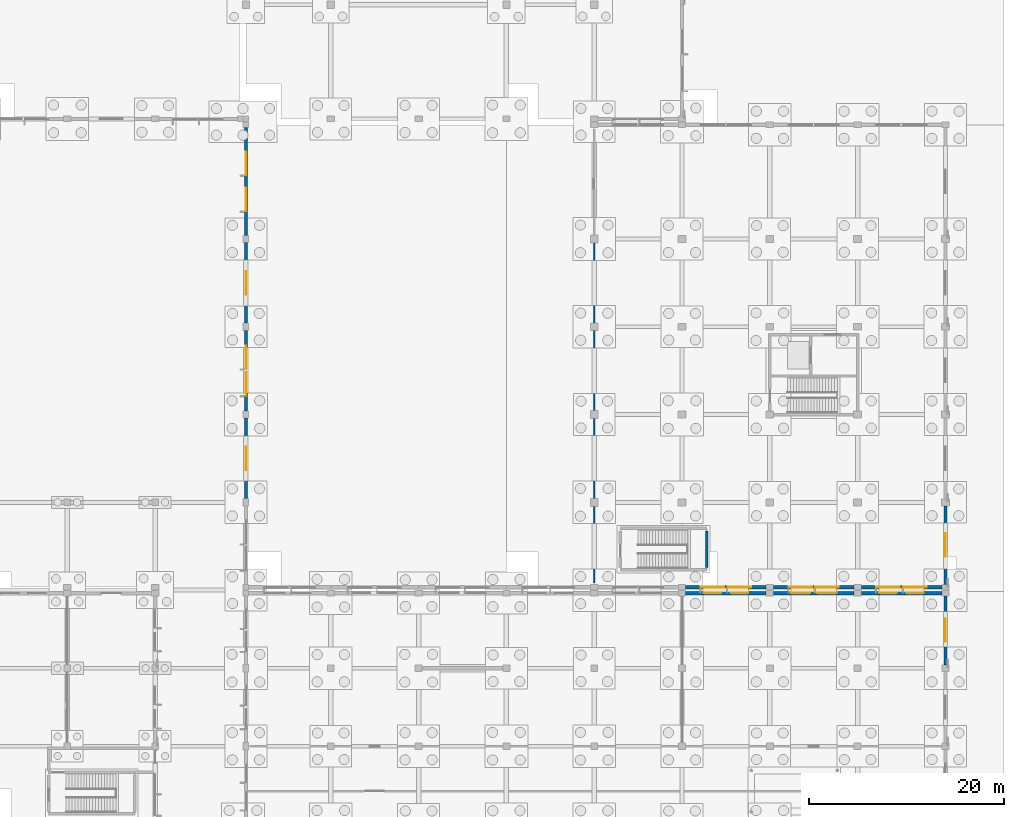
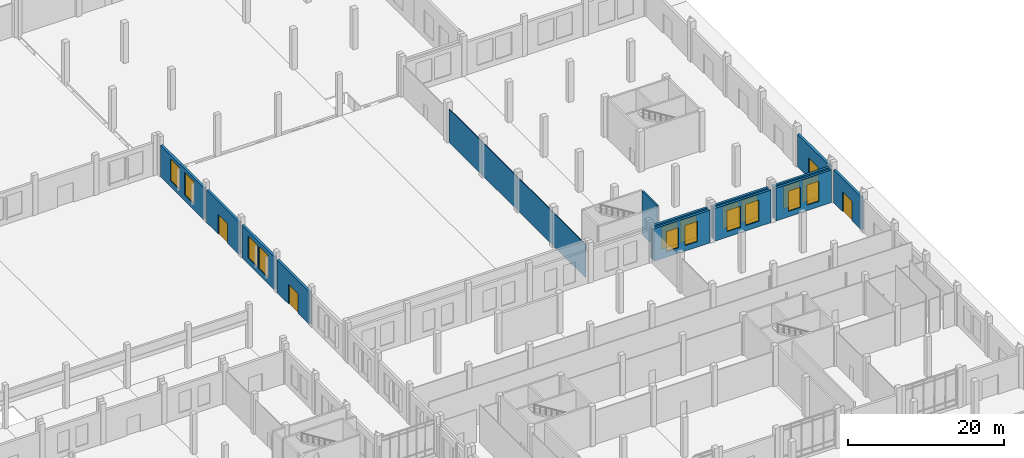
# One storey, part 69 of 99: 16 windows, 14 walls, 4 doors, 20 openings.
"""IFC4 building model written with IfcOpenShell, lengths in metres."""

import ifcopenshell
import ifcopenshell.guid

model = None  # the IFC model being written
_history = None  # IfcOwnerHistory: only IFC2X3 demands one
_inside = {}  # id of a spatial element -> (the spatial element, [elements in it])
_under = {}  # id of a project, library or spatial element -> (it, [spatial elements below it])
_declared = {}  # id of a project -> (the project, [libraries it declares])
_typed = {}  # id of a type object -> (the type object, [elements of that type])
_made_of = {}  # id of a material, layer set ... -> (it, [elements and type objects made of it])


def new_model(schema):
    """Start an empty IFC model of exactly this schema.

    Asked for "IFC4X3", IfcOpenShell would pick the latest addendum, in which some entities
    have other attributes; the version numbers below select the first issue.
    IFC2X3 requires an IfcOwnerHistory on every rooted entity: one is made here for all.
    """
    global model, _history
    if schema == "IFC4X3":
        model = ifcopenshell.file(schema_version=(4, 3, 0, 0))
    else:
        model = ifcopenshell.file(schema=schema)
    _inside.clear()
    _under.clear()
    _declared.clear()
    _typed.clear()
    _made_of.clear()
    _history = None
    if model.schema == "IFC2X3":
        org = make("IfcOrganization", Name="unknown")
        user = make(
            "IfcPersonAndOrganization",
            ThePerson=make("IfcPerson", FamilyName="unknown"),
            TheOrganization=org,
        )
        app = make(
            "IfcApplication",
            ApplicationDeveloper=org,
            Version="unknown",
            ApplicationFullName="unknown",
            ApplicationIdentifier="unknown",
        )
        _history = make(
            "IfcOwnerHistory",
            OwningUser=user,
            OwningApplication=app,
            ChangeAction="ADDED",
            CreationDate=0,
        )
    return model


def make(cls, **values):
    """One entity of the class cls with the attributes given. An attribute that is None is left unset."""
    return model.create_entity(
        cls, **{name: value for name, value in values.items() if value is not None}
    )


def rooted(cls, **values):
    """An entity with a GlobalId (a new one), such as an element, a storey or a relation."""
    return make(cls, GlobalId=ifcopenshell.guid.new(), OwnerHistory=_history, **values)


def si_unit(unit_type, name, prefix=None):
    """IfcSIUnit, for example si_unit("LENGTHUNIT", "METRE", prefix="MILLI")."""
    return make("IfcSIUnit", UnitType=unit_type, Prefix=prefix, Name=name)


def assignment(units):
    """IfcUnitAssignment: the units of a project."""
    return None if units is None else make("IfcUnitAssignment", Units=units)


def point(xyz):
    """IfcCartesianPoint."""
    return None if xyz is None else make("IfcCartesianPoint", Coordinates=xyz)


def direction(xyz):
    """IfcDirection."""
    return None if xyz is None else make("IfcDirection", DirectionRatios=xyz)


def frame(location, z_axis=None, x_axis=None):
    """IfcAxis2Placement3D, a coordinate frame: its origin and axes. An axis left out is left unset."""
    return make(
        "IfcAxis2Placement3D",
        Location=point(location),
        Axis=direction(z_axis),
        RefDirection=direction(x_axis),
    )


def frame_2d(location, x_axis=None):
    """IfcAxis2Placement2D, a coordinate frame in the plane: its origin and x axis."""
    return make(
        "IfcAxis2Placement2D", Location=point(location), RefDirection=direction(x_axis)
    )


def origin():
    """The frame at (0, 0, 0) with its axes left unset."""
    return frame((0.0, 0.0, 0.0))


def place(relative_to, where):
    """IfcLocalPlacement: puts the frame where relative to a parent placement (None: the world)."""
    return make(
        "IfcLocalPlacement", PlacementRelTo=relative_to, RelativePlacement=where
    )


def context(
    kind, dimensions, precision=None, world=None, true_north=None, identifier=None
):
    """IfcGeometricRepresentationContext, for example the 3D "Model" context."""
    return make(
        "IfcGeometricRepresentationContext",
        ContextIdentifier=identifier,
        ContextType=kind,
        CoordinateSpaceDimension=dimensions,
        Precision=precision,
        WorldCoordinateSystem=world,
        TrueNorth=true_north,
    )


def subcontext(parent, identifier, kind, view, scale=None):
    """IfcGeometricRepresentationSubContext, for example "Body" below "Model"."""
    return make(
        "IfcGeometricRepresentationSubContext",
        ContextIdentifier=identifier,
        ContextType=kind,
        ParentContext=parent,
        TargetScale=scale,
        TargetView=view,
    )


def project(units=None, contexts=None):
    """IfcProject with its units and contexts."""
    return rooted(
        "IfcProject",
        Name="project",
        RepresentationContexts=contexts,
        UnitsInContext=assignment(units),
    )


def spatial(cls, under=None, at=None, **own):
    """A site, building, storey or space (cls), placed at a placement, below another one or the project."""
    s = rooted(cls, ObjectPlacement=at, **own)
    if under is not None:
        _under.setdefault(under.id(), (under, []))[1].append(s)
    return s


def profile(cls, at=None, kind="AREA", **sizes):
    """A parametric profile (cls). Its sizes go by their IFC names, for example OverallWidth=200.0."""
    return make(cls, ProfileType=kind, Position=at, **sizes)


def rectangle(**sizes):
    """IfcRectangleProfileDef."""
    return profile("IfcRectangleProfileDef", **sizes)


def extrude(swept, where, along, depth):
    """IfcExtrudedAreaSolid: the profile swept, set in the frame where, extruded along a direction by depth."""
    return make(
        "IfcExtrudedAreaSolid",
        SweptArea=swept,
        Position=where,
        ExtrudedDirection=direction(along),
        Depth=depth,
    )


def shape(context_of_items, identifier, shape_type, items):
    """IfcShapeRepresentation: the items that make up one representation, for example the "Body"."""
    return make(
        "IfcShapeRepresentation",
        ContextOfItems=context_of_items,
        RepresentationIdentifier=identifier,
        RepresentationType=shape_type,
        Items=items,
    )


def material(Name=None, Category=None):
    """IfcMaterial."""
    return make("IfcMaterial", Name=Name, Category=Category)


def layer(
    of_material, thickness, ventilated=None, Name=None, Category=None, Priority=None
):
    """IfcMaterialLayer: one layer of a wall or slab, of a material (None: an air gap)."""
    return make(
        "IfcMaterialLayer",
        Material=of_material,
        LayerThickness=thickness,
        IsVentilated=ventilated,
        Name=Name,
        Category=Category,
        Priority=Priority,
    )


def layer_set(layers, Name=None):
    """IfcMaterialLayerSet."""
    return make("IfcMaterialLayerSet", MaterialLayers=layers, LayerSetName=Name)


def made_of(thing, what):
    """Note that an element or type object is made of a material, layer set ...; save() writes the relation."""
    if what is not None:
        _made_of.setdefault(what.id(), (what, []))[1].append(thing)
    return thing


def type_object(cls, material=None, **own):
    """A type object (cls), such as IfcWallType, which elements share."""
    return made_of(rooted(cls, **own), material)


def element(
    cls,
    number,
    at=None,
    inside=None,
    cuts=None,
    type_object=None,
    material=None,
    context=None,
    identifier="Body",
    shape_type=None,
    held_by="IfcProductDefinitionShape",
    body=None,
    shapes=None,
    **own,
):
    """One element of the class cls, such as IfcWall. Its Tag is "e" and its number.

    at: its placement. inside: the storey or other place that contains it. cuts: it is an
    opening in that element (IfcRelVoidsElement). A single representation is given by context,
    identifier, shape_type and body (its items); several are given by shapes. held_by: the class
    of the entity that holds the representations. save() writes the other relations.
    """
    e = rooted(cls, Tag="e%d" % number, ObjectPlacement=at, **own)
    if body is not None:
        shapes = [shape(context, identifier, shape_type, body)]
    if shapes is not None:
        e.Representation = make(held_by, Representations=shapes)
    if inside is not None:
        _inside.setdefault(inside.id(), (inside, []))[1].append(e)
    if cuts is not None:
        rooted(
            "IfcRelVoidsElement", RelatingBuildingElement=cuts, RelatedOpeningElement=e
        )
    if type_object is not None:
        _typed.setdefault(type_object.id(), (type_object, []))[1].append(e)
    return made_of(e, material)


def fill(opening, filler):
    """IfcRelFillsElement: the door or window that sits in an opening."""
    return rooted(
        "IfcRelFillsElement",
        RelatingOpeningElement=opening,
        RelatedBuildingElement=filler,
    )


def aggregate(whole, parts):
    """IfcRelAggregates: a whole, such as a stair, and the parts it consists of."""
    return rooted("IfcRelAggregates", RelatingObject=whole, RelatedObjects=parts)


def save(model, path):
    """Write the relations noted so far, then the file.

    IfcRelAggregates (storeys below a building ...), IfcRelContainedInSpatialStructure (elements
    in a storey), IfcRelDefinesByType, IfcRelAssociatesMaterial and IfcRelDeclares: one each for
    every whole, place, type object, material and project.
    """
    for whole, parts in _under.values():
        aggregate(whole, parts)
    for where, things in _inside.values():
        rooted(
            "IfcRelContainedInSpatialStructure",
            RelatedElements=things,
            RelatingStructure=where,
        )
    for kind, things in _typed.values():
        rooted("IfcRelDefinesByType", RelatedObjects=things, RelatingType=kind)
    for what, things in _made_of.values():
        rooted("IfcRelAssociatesMaterial", RelatedObjects=things, RelatingMaterial=what)
    for by, libraries in _declared.values():
        rooted("IfcRelDeclares", RelatingContext=by, RelatedDefinitions=libraries)
    model.write(path)


model = new_model("IFC4")

# Units and contexts
model_context = context("Model", 3, precision=1e-05, world=origin(), true_north=direction((0.0, 1.0)))
body_context = subcontext(model_context, "Body", "Model", "MODEL_VIEW")
ifc_project = project(units=[si_unit("LENGTHUNIT", "METRE"), si_unit("AREAUNIT", "SQUARE_METRE"), si_unit("VOLUMEUNIT", "CUBIC_METRE"), si_unit("PLANEANGLEUNIT", "RADIAN"), si_unit("MASSUNIT", "GRAM", prefix="KILO")], contexts=[model_context])

# Site, building, storey
site_placement = place(None, origin())
site = spatial("IfcSite", under=ifc_project, at=site_placement, CompositionType="ELEMENT")
building_placement = place(site_placement, origin())
building = spatial("IfcBuilding", under=site, at=building_placement, Name="Zacnel Wholesale Market", CompositionType="ELEMENT")
storey_placement = place(building_placement, origin())
storey = spatial("IfcBuildingStorey", under=building, at=storey_placement, Name="L01", CompositionType="ELEMENT", Elevation=0.0)

# Wall
ifc_material_1 = material(Name="Concrete C40/50", Category="concrete")
ifc_layer_1 = layer(ifc_material_1, 0.25)
ifc_layer_set_1 = layer_set([ifc_layer_1], Name="Concrete C40/50")
wall_type_1 = type_object("IfcWallType", Name="WL-CORE-SW250", PredefinedType="SOLIDWALL", material=ifc_layer_set_1)
wall_1_placement = place(storey_placement, frame((191.52490234375, 50.324951171875, -0.5), z_axis=(0.0, 0.0, 1.0), x_axis=(0.0, 1.0, 0.0)))
element("IfcWall", 1, at=wall_1_placement, inside=storey, type_object=wall_type_1, Name="Stair ST-22 east enclosure wall L01", PredefinedType="SOLIDWALL", context=body_context, shape_type="SweptSolid", body=[
    extrude(rectangle(XDim=3.75, YDim=0.25, at=frame_2d((1.875, 0.0))), origin(), (0.0, 0.0, 1.0), 6.800048828125),
])

# Wall, openings, windows
ifc_material_2 = material(Name="Precast concrete C40/50 (Cancun limestone aggregate)", Category="masonry")
ifc_layer_2 = layer(ifc_material_2, 0.340087890625)
ifc_layer_set_2 = layer_set([ifc_layer_2], Name="Precast concrete C40/50 (Cancun limestone aggregate)")
wall_type_2 = type_object("IfcWallType", Name="WL-EXT-LIME-340", PredefinedType="SOLIDWALL", material=ifc_layer_set_2)
wall_2_placement = place(storey_placement, frame((189.375, 47.699951171875, 0.0), z_axis=(0.0, 0.0, 1.0), x_axis=(1.0, 0.0, 0.0)))
wall_2 = element("IfcWall", 2, at=wall_2_placement, inside=storey, type_object=wall_type_2, Name="Exterior wall L01-0109", PredefinedType="SOLIDWALL", context=body_context, shape_type="SweptSolid", body=[
    extrude(rectangle(XDim=8.25, YDim=0.340087890625, at=frame_2d((4.125, 0.0))), origin(), (0.0, 0.0, 1.0), 5.10009765625),
])
opening_1_placement = place(wall_2_placement, frame((1.85009765625, 0.0, 0.85009765625)))
opening_1 = element("IfcOpeningElement", 3, at=opening_1_placement, cuts=wall_2, Name="Opening W-03", PredefinedType="OPENING", context=body_context, shape_type="SweptSolid", body=[
    extrude(rectangle(XDim=1.800048828125, YDim=3.14990234375, at=frame_2d((0.89990234375, 1.574951171875))), frame((0.0, 0.179931640625, 0.0), z_axis=(0.0, -1.0, 0.0), x_axis=(1.0, 0.0, 0.0)), (0.0, 0.0, 1.0), 0.360107421875),
])
opening_2_placement = place(wall_2_placement, frame((4.60009765625, 0.0, 0.85009765625)))
opening_2 = element("IfcOpeningElement", 4, at=opening_2_placement, cuts=wall_2, Name="Opening W-03", PredefinedType="OPENING", context=body_context, shape_type="SweptSolid", body=[
    extrude(rectangle(XDim=1.800048828125, YDim=3.14990234375, at=frame_2d((0.89990234375, 1.574951171875))), frame((0.0, 0.179931640625, 0.0), z_axis=(0.0, -1.0, 0.0), x_axis=(1.0, 0.0, 0.0)), (0.0, 0.0, 1.0), 0.360107421875),
])
ifc_material_3 = material(Name="Laminated hurricane-impact low-E insulated glass", Category="glass")
window_type_1 = type_object("IfcWindowType", Name="WIN-DEC-1800X3150", PartitioningType="DOUBLE_PANEL_VERTICAL", PredefinedType="WINDOW", material=ifc_material_3)
window_1_placement = place(opening_1_placement, origin())
window_1 = element("IfcWindow", 5, at=window_1_placement, inside=storey, type_object=window_type_1, Name="Window L01-0100", OverallHeight=3.14990234375, OverallWidth=1.800048828125, PartitioningType="DOUBLE_PANEL_VERTICAL", PredefinedType="WINDOW", context=body_context, shape_type="SweptSolid", body=[
    extrude(rectangle(XDim=1.800048828125, YDim=3.14990234375, at=frame_2d((0.89990234375, 1.574951171875))), frame((0.0, 0.030029296875, 0.0), z_axis=(0.0, -1.0, 0.0), x_axis=(1.0, 0.0, 0.0)), (0.0, 0.0, 1.0), 0.06005859375),
])
fill(opening_1, window_1)
window_2_placement = place(opening_2_placement, origin())
window_2 = element("IfcWindow", 6, at=window_2_placement, inside=storey, type_object=window_type_1, Name="Window L01-0101", OverallHeight=3.14990234375, OverallWidth=1.800048828125, PartitioningType="DOUBLE_PANEL_VERTICAL", PredefinedType="WINDOW", context=body_context, shape_type="SweptSolid", body=[
    extrude(rectangle(XDim=1.800048828125, YDim=3.14990234375, at=frame_2d((0.89990234375, 1.574951171875))), frame((0.0, 0.030029296875, 0.0), z_axis=(0.0, -1.0, 0.0), x_axis=(1.0, 0.0, 0.0)), (0.0, 0.0, 1.0), 0.06005859375),
])
fill(opening_2, window_2)

wall_3_placement = place(storey_placement, frame((198.375, 47.699951171875, 0.0), z_axis=(0.0, 0.0, 1.0), x_axis=(1.0, 0.0, 0.0)))
wall_3 = element("IfcWall", 7, at=wall_3_placement, inside=storey, type_object=wall_type_2, Name="Exterior wall L01-0110", PredefinedType="SOLIDWALL", context=body_context, shape_type="SweptSolid", body=[
    extrude(rectangle(XDim=8.25, YDim=0.340087890625, at=frame_2d((4.125, 0.0))), origin(), (0.0, 0.0, 1.0), 5.10009765625),
])
opening_3_placement = place(wall_3_placement, frame((1.75, 0.0, 0.85009765625)))
opening_3 = element("IfcOpeningElement", 8, at=opening_3_placement, cuts=wall_3, Name="Opening W-02", PredefinedType="OPENING", context=body_context, shape_type="SweptSolid", body=[
    extrude(rectangle(XDim=2.0, YDim=3.300048828125, at=frame_2d((1.0, 1.64990234375))), frame((0.0, 0.179931640625, 0.0), z_axis=(0.0, -1.0, 0.0), x_axis=(1.0, 0.0, 0.0)), (0.0, 0.0, 1.0), 0.360107421875),
])
opening_4_placement = place(wall_3_placement, frame((4.5, 0.0, 0.85009765625)))
opening_4 = element("IfcOpeningElement", 9, at=opening_4_placement, cuts=wall_3, Name="Opening W-02", PredefinedType="OPENING", context=body_context, shape_type="SweptSolid", body=[
    extrude(rectangle(XDim=2.0, YDim=3.300048828125, at=frame_2d((1.0, 1.64990234375))), frame((0.0, 0.179931640625, 0.0), z_axis=(0.0, -1.0, 0.0), x_axis=(1.0, 0.0, 0.0)), (0.0, 0.0, 1.0), 0.360107421875),
])
ifc_material_4 = material(Name="Laminated hurricane-impact low-E insulated glass", Category="glass")
window_type_2 = type_object("IfcWindowType", Name="WIN-DEC-2000X3300", PartitioningType="DOUBLE_PANEL_VERTICAL", PredefinedType="WINDOW", material=ifc_material_4)
window_3_placement = place(opening_3_placement, origin())
window_3 = element("IfcWindow", 10, at=window_3_placement, inside=storey, type_object=window_type_2, Name="Window L01-0102", OverallHeight=3.300048828125, OverallWidth=2.0, PartitioningType="DOUBLE_PANEL_VERTICAL", PredefinedType="WINDOW", context=body_context, shape_type="SweptSolid", body=[
    extrude(rectangle(XDim=2.0, YDim=3.300048828125, at=frame_2d((1.0, 1.64990234375))), frame((0.0, 0.030029296875, 0.0), z_axis=(0.0, -1.0, 0.0), x_axis=(1.0, 0.0, 0.0)), (0.0, 0.0, 1.0), 0.06005859375),
])
fill(opening_3, window_3)
window_4_placement = place(opening_4_placement, origin())
window_4 = element("IfcWindow", 11, at=window_4_placement, inside=storey, type_object=window_type_2, Name="Window L01-0103", OverallHeight=3.300048828125, OverallWidth=2.0, PartitioningType="DOUBLE_PANEL_VERTICAL", PredefinedType="WINDOW", context=body_context, shape_type="SweptSolid", body=[
    extrude(rectangle(XDim=2.0, YDim=3.300048828125, at=frame_2d((1.0, 1.64990234375))), frame((0.0, 0.030029296875, 0.0), z_axis=(0.0, -1.0, 0.0), x_axis=(1.0, 0.0, 0.0)), (0.0, 0.0, 1.0), 0.06005859375),
])
fill(opening_4, window_4)

wall_4_placement = place(storey_placement, frame((207.375, 47.699951171875, 0.0), z_axis=(0.0, 0.0, 1.0), x_axis=(1.0, 0.0, 0.0)))
wall_4 = element("IfcWall", 12, at=wall_4_placement, inside=storey, type_object=wall_type_2, Name="Exterior wall L01-0111", PredefinedType="SOLIDWALL", context=body_context, shape_type="SweptSolid", body=[
    extrude(rectangle(XDim=8.25, YDim=0.340087890625, at=frame_2d((4.125, 0.0))), origin(), (0.0, 0.0, 1.0), 5.10009765625),
])
opening_5_placement = place(wall_4_placement, frame((1.85009765625, 0.0, 0.85009765625)))
opening_5 = element("IfcOpeningElement", 13, at=opening_5_placement, cuts=wall_4, Name="Opening W-03", PredefinedType="OPENING", context=body_context, shape_type="SweptSolid", body=[
    extrude(rectangle(XDim=1.800048828125, YDim=3.14990234375, at=frame_2d((0.89990234375, 1.574951171875))), frame((0.0, 0.179931640625, 0.0), z_axis=(0.0, -1.0, 0.0), x_axis=(1.0, 0.0, 0.0)), (0.0, 0.0, 1.0), 0.360107421875),
])
opening_6_placement = place(wall_4_placement, frame((4.60009765625, 0.0, 0.85009765625)))
opening_6 = element("IfcOpeningElement", 14, at=opening_6_placement, cuts=wall_4, Name="Opening W-03", PredefinedType="OPENING", context=body_context, shape_type="SweptSolid", body=[
    extrude(rectangle(XDim=1.800048828125, YDim=3.14990234375, at=frame_2d((0.89990234375, 1.574951171875))), frame((0.0, 0.179931640625, 0.0), z_axis=(0.0, -1.0, 0.0), x_axis=(1.0, 0.0, 0.0)), (0.0, 0.0, 1.0), 0.360107421875),
])
window_5_placement = place(opening_5_placement, origin())
window_5 = element("IfcWindow", 15, at=window_5_placement, inside=storey, type_object=window_type_1, Name="Window L01-0104", OverallHeight=3.14990234375, OverallWidth=1.800048828125, PartitioningType="DOUBLE_PANEL_VERTICAL", PredefinedType="WINDOW", context=body_context, shape_type="SweptSolid", body=[
    extrude(rectangle(XDim=1.800048828125, YDim=3.14990234375, at=frame_2d((0.89990234375, 1.574951171875))), frame((0.0, 0.030029296875, 0.0), z_axis=(0.0, -1.0, 0.0), x_axis=(1.0, 0.0, 0.0)), (0.0, 0.0, 1.0), 0.06005859375),
])
fill(opening_5, window_5)
window_6_placement = place(opening_6_placement, origin())
window_6 = element("IfcWindow", 16, at=window_6_placement, inside=storey, type_object=window_type_1, Name="Window L01-0105", OverallHeight=3.14990234375, OverallWidth=1.800048828125, PartitioningType="DOUBLE_PANEL_VERTICAL", PredefinedType="WINDOW", context=body_context, shape_type="SweptSolid", body=[
    extrude(rectangle(XDim=1.800048828125, YDim=3.14990234375, at=frame_2d((0.89990234375, 1.574951171875))), frame((0.0, 0.030029296875, 0.0), z_axis=(0.0, -1.0, 0.0), x_axis=(1.0, 0.0, 0.0)), (0.0, 0.0, 1.0), 0.06005859375),
])
fill(opening_6, window_6)

# Wall, opening, door
wall_5_placement = place(storey_placement, frame((216.0, 40.35009765625, 0.0), z_axis=(0.0, 0.0, 1.0), x_axis=(0.0, 1.0, 0.0)))
wall_5 = element("IfcWall", 17, at=wall_5_placement, inside=storey, type_object=wall_type_2, Name="Exterior wall L01-0123", PredefinedType="SOLIDWALL", context=body_context, shape_type="SweptSolid", body=[
    extrude(rectangle(XDim=7.074951171875, YDim=0.340087890625, at=frame_2d((3.53759765625, 0.0))), origin(), (0.0, 0.0, 1.0), 5.10009765625),
])
opening_7_placement = place(wall_5_placement, frame((2.337890625, 0.0, 0.0)))
opening_7 = element("IfcOpeningElement", 18, at=opening_7_placement, cuts=wall_5, Name="Opening ED-01", PredefinedType="OPENING", context=body_context, shape_type="SweptSolid", body=[
    extrude(rectangle(XDim=2.39990234375, YDim=3.10009765625, at=frame_2d((1.199951171875, 1.550048828125))), frame((0.0, 0.179931640625, 0.0), z_axis=(0.0, -1.0, 0.0), x_axis=(1.0, 0.0, 0.0)), (0.0, 0.0, 1.0), 0.360107421875),
])
ifc_material_5 = material(Name="Anodised aluminium", Category="aluminium")
door_type = type_object("IfcDoorType", Name="DR-EXT-PORTAL-2400", OperationType="NOTDEFINED", PredefinedType="DOOR", material=ifc_material_5)
door_1_placement = place(opening_7_placement, origin())
door_1 = element("IfcDoor", 19, at=door_1_placement, inside=storey, type_object=door_type, Name="Boulevard entrance portal 033", OperationType="DOUBLE_DOOR_SINGLE_SWING", OverallHeight=3.10009765625, OverallWidth=2.39990234375, PredefinedType="DOOR", context=body_context, shape_type="SweptSolid", body=[
    extrude(rectangle(XDim=2.39990234375, YDim=3.10009765625, at=frame_2d((1.199951171875, 1.550048828125))), frame((0.0, 0.02490234375, 0.0), z_axis=(0.0, -1.0, 0.0), x_axis=(1.0, 0.0, 0.0)), (0.0, 0.0, 1.0), 0.050048828125),
])
fill(opening_7, door_1)

# Wall, openings, windows
wall_6_placement = place(storey_placement, frame((189.375, 48.300048828125, 0.0), z_axis=(0.0, 0.0, 1.0), x_axis=(1.0, 0.0, 0.0)))
wall_6 = element("IfcWall", 20, at=wall_6_placement, inside=storey, type_object=wall_type_2, Name="Exterior wall L01-0159", PredefinedType="SOLIDWALL", context=body_context, shape_type="SweptSolid", body=[
    extrude(rectangle(XDim=8.25, YDim=0.340087890625, at=frame_2d((4.125, 0.0))), origin(), (0.0, 0.0, 1.0), 5.10009765625),
])
opening_8_placement = place(wall_6_placement, frame((1.550048828125, 0.0, 0.89990234375)))
opening_8 = element("IfcOpeningElement", 21, at=opening_8_placement, cuts=wall_6, Name="Opening W-01", PredefinedType="OPENING", context=body_context, shape_type="SweptSolid", body=[
    extrude(rectangle(XDim=2.39990234375, YDim=3.5, at=frame_2d((1.199951171875, 1.75))), frame((0.0, 0.179931640625, 0.0), z_axis=(0.0, -1.0, 0.0), x_axis=(1.0, 0.0, 0.0)), (0.0, 0.0, 1.0), 0.360107421875),
])
opening_9_placement = place(wall_6_placement, frame((4.300048828125, 0.0, 0.89990234375)))
opening_9 = element("IfcOpeningElement", 22, at=opening_9_placement, cuts=wall_6, Name="Opening W-01", PredefinedType="OPENING", context=body_context, shape_type="SweptSolid", body=[
    extrude(rectangle(XDim=2.39990234375, YDim=3.5, at=frame_2d((1.199951171875, 1.75))), frame((0.0, 0.179931640625, 0.0), z_axis=(0.0, -1.0, 0.0), x_axis=(1.0, 0.0, 0.0)), (0.0, 0.0, 1.0), 0.360107421875),
])
ifc_material_6 = material(Name="Laminated hurricane-impact low-E insulated glass", Category="glass")
window_type_3 = type_object("IfcWindowType", Name="WIN-DEC-2400X3500", PartitioningType="TRIPLE_PANEL_VERTICAL", PredefinedType="WINDOW", material=ifc_material_6)
window_7_placement = place(opening_8_placement, origin())
window_7 = element("IfcWindow", 23, at=window_7_placement, inside=storey, type_object=window_type_3, Name="Window L01-0172", OverallHeight=3.5, OverallWidth=2.39990234375, PartitioningType="TRIPLE_PANEL_VERTICAL", PredefinedType="WINDOW", context=body_context, shape_type="SweptSolid", body=[
    extrude(rectangle(XDim=2.39990234375, YDim=3.5, at=frame_2d((1.199951171875, 1.75))), frame((0.0, 0.030029296875, 0.0), z_axis=(0.0, -1.0, 0.0), x_axis=(1.0, 0.0, 0.0)), (0.0, 0.0, 1.0), 0.06005859375),
])
fill(opening_8, window_7)
window_8_placement = place(opening_9_placement, origin())
window_8 = element("IfcWindow", 24, at=window_8_placement, inside=storey, type_object=window_type_3, Name="Window L01-0173", OverallHeight=3.5, OverallWidth=2.39990234375, PartitioningType="TRIPLE_PANEL_VERTICAL", PredefinedType="WINDOW", context=body_context, shape_type="SweptSolid", body=[
    extrude(rectangle(XDim=2.39990234375, YDim=3.5, at=frame_2d((1.199951171875, 1.75))), frame((0.0, 0.030029296875, 0.0), z_axis=(0.0, -1.0, 0.0), x_axis=(1.0, 0.0, 0.0)), (0.0, 0.0, 1.0), 0.06005859375),
])
fill(opening_9, window_8)

wall_7_placement = place(storey_placement, frame((198.375, 48.300048828125, 0.0), z_axis=(0.0, 0.0, 1.0), x_axis=(1.0, 0.0, 0.0)))
wall_7 = element("IfcWall", 25, at=wall_7_placement, inside=storey, type_object=wall_type_2, Name="Exterior wall L01-0160", PredefinedType="SOLIDWALL", context=body_context, shape_type="SweptSolid", body=[
    extrude(rectangle(XDim=8.25, YDim=0.340087890625, at=frame_2d((4.125, 0.0))), origin(), (0.0, 0.0, 1.0), 5.10009765625),
])
opening_10_placement = place(wall_7_placement, frame((1.550048828125, 0.0, 0.89990234375)))
opening_10 = element("IfcOpeningElement", 26, at=opening_10_placement, cuts=wall_7, Name="Opening W-01", PredefinedType="OPENING", context=body_context, shape_type="SweptSolid", body=[
    extrude(rectangle(XDim=2.39990234375, YDim=3.5, at=frame_2d((1.199951171875, 1.75))), frame((0.0, 0.179931640625, 0.0), z_axis=(0.0, -1.0, 0.0), x_axis=(1.0, 0.0, 0.0)), (0.0, 0.0, 1.0), 0.360107421875),
])
opening_11_placement = place(wall_7_placement, frame((4.300048828125, 0.0, 0.89990234375)))
opening_11 = element("IfcOpeningElement", 27, at=opening_11_placement, cuts=wall_7, Name="Opening W-01", PredefinedType="OPENING", context=body_context, shape_type="SweptSolid", body=[
    extrude(rectangle(XDim=2.39990234375, YDim=3.5, at=frame_2d((1.199951171875, 1.75))), frame((0.0, 0.179931640625, 0.0), z_axis=(0.0, -1.0, 0.0), x_axis=(1.0, 0.0, 0.0)), (0.0, 0.0, 1.0), 0.360107421875),
])
window_9_placement = place(opening_10_placement, origin())
window_9 = element("IfcWindow", 28, at=window_9_placement, inside=storey, type_object=window_type_3, Name="Window L01-0174", OverallHeight=3.5, OverallWidth=2.39990234375, PartitioningType="TRIPLE_PANEL_VERTICAL", PredefinedType="WINDOW", context=body_context, shape_type="SweptSolid", body=[
    extrude(rectangle(XDim=2.39990234375, YDim=3.5, at=frame_2d((1.199951171875, 1.75))), frame((0.0, 0.030029296875, 0.0), z_axis=(0.0, -1.0, 0.0), x_axis=(1.0, 0.0, 0.0)), (0.0, 0.0, 1.0), 0.06005859375),
])
fill(opening_10, window_9)
window_10_placement = place(opening_11_placement, origin())
window_10 = element("IfcWindow", 29, at=window_10_placement, inside=storey, type_object=window_type_3, Name="Window L01-0175", OverallHeight=3.5, OverallWidth=2.39990234375, PartitioningType="TRIPLE_PANEL_VERTICAL", PredefinedType="WINDOW", context=body_context, shape_type="SweptSolid", body=[
    extrude(rectangle(XDim=2.39990234375, YDim=3.5, at=frame_2d((1.199951171875, 1.75))), frame((0.0, 0.030029296875, 0.0), z_axis=(0.0, -1.0, 0.0), x_axis=(1.0, 0.0, 0.0)), (0.0, 0.0, 1.0), 0.06005859375),
])
fill(opening_11, window_10)

wall_8_placement = place(storey_placement, frame((207.375, 48.300048828125, 0.0), z_axis=(0.0, 0.0, 1.0), x_axis=(1.0, 0.0, 0.0)))
wall_8 = element("IfcWall", 30, at=wall_8_placement, inside=storey, type_object=wall_type_2, Name="Exterior wall L01-0161", PredefinedType="SOLIDWALL", context=body_context, shape_type="SweptSolid", body=[
    extrude(rectangle(XDim=8.25, YDim=0.340087890625, at=frame_2d((4.125, 0.0))), origin(), (0.0, 0.0, 1.0), 5.10009765625),
])
opening_12_placement = place(wall_8_placement, frame((1.550048828125, 0.0, 0.89990234375)))
opening_12 = element("IfcOpeningElement", 31, at=opening_12_placement, cuts=wall_8, Name="Opening W-01", PredefinedType="OPENING", context=body_context, shape_type="SweptSolid", body=[
    extrude(rectangle(XDim=2.39990234375, YDim=3.5, at=frame_2d((1.199951171875, 1.75))), frame((0.0, 0.179931640625, 0.0), z_axis=(0.0, -1.0, 0.0), x_axis=(1.0, 0.0, 0.0)), (0.0, 0.0, 1.0), 0.360107421875),
])
opening_13_placement = place(wall_8_placement, frame((4.300048828125, 0.0, 0.89990234375)))
opening_13 = element("IfcOpeningElement", 32, at=opening_13_placement, cuts=wall_8, Name="Opening W-01", PredefinedType="OPENING", context=body_context, shape_type="SweptSolid", body=[
    extrude(rectangle(XDim=2.39990234375, YDim=3.5, at=frame_2d((1.199951171875, 1.75))), frame((0.0, 0.179931640625, 0.0), z_axis=(0.0, -1.0, 0.0), x_axis=(1.0, 0.0, 0.0)), (0.0, 0.0, 1.0), 0.360107421875),
])
window_11_placement = place(opening_12_placement, origin())
window_11 = element("IfcWindow", 33, at=window_11_placement, inside=storey, type_object=window_type_3, Name="Window L01-0176", OverallHeight=3.5, OverallWidth=2.39990234375, PartitioningType="TRIPLE_PANEL_VERTICAL", PredefinedType="WINDOW", context=body_context, shape_type="SweptSolid", body=[
    extrude(rectangle(XDim=2.39990234375, YDim=3.5, at=frame_2d((1.199951171875, 1.75))), frame((0.0, 0.030029296875, 0.0), z_axis=(0.0, -1.0, 0.0), x_axis=(1.0, 0.0, 0.0)), (0.0, 0.0, 1.0), 0.06005859375),
])
fill(opening_12, window_11)
window_12_placement = place(opening_13_placement, origin())
window_12 = element("IfcWindow", 34, at=window_12_placement, inside=storey, type_object=window_type_3, Name="Window L01-0177", OverallHeight=3.5, OverallWidth=2.39990234375, PartitioningType="TRIPLE_PANEL_VERTICAL", PredefinedType="WINDOW", context=body_context, shape_type="SweptSolid", body=[
    extrude(rectangle(XDim=2.39990234375, YDim=3.5, at=frame_2d((1.199951171875, 1.75))), frame((0.0, 0.030029296875, 0.0), z_axis=(0.0, -1.0, 0.0), x_axis=(1.0, 0.0, 0.0)), (0.0, 0.0, 1.0), 0.06005859375),
])
fill(opening_13, window_12)

# Wall, opening, door
wall_9_placement = place(storey_placement, frame((144.300048828125, 57.375, 0.0), z_axis=(0.0, 0.0, 1.0), x_axis=(0.0, 1.0, 0.0)))
wall_9 = element("IfcWall", 35, at=wall_9_placement, inside=storey, type_object=wall_type_2, Name="Exterior wall L01-0167", PredefinedType="SOLIDWALL", context=body_context, shape_type="SweptSolid", body=[
    extrude(rectangle(XDim=8.25, YDim=0.340087890625, at=frame_2d((4.125, 0.0))), origin(), (0.0, 0.0, 1.0), 5.10009765625),
])
opening_14_placement = place(wall_9_placement, frame((2.925048828125, 0.0, 0.0)))
opening_14 = element("IfcOpeningElement", 36, at=opening_14_placement, cuts=wall_9, Name="Opening ED-01", PredefinedType="OPENING", context=body_context, shape_type="SweptSolid", body=[
    extrude(rectangle(XDim=2.39990234375, YDim=3.10009765625, at=frame_2d((1.199951171875, 1.550048828125))), frame((0.0, 0.179931640625, 0.0), z_axis=(0.0, -1.0, 0.0), x_axis=(1.0, 0.0, 0.0)), (0.0, 0.0, 1.0), 0.360107421875),
])
door_2_placement = place(opening_14_placement, origin())
door_2 = element("IfcDoor", 37, at=door_2_placement, inside=storey, type_object=door_type, Name="Fruit hall arcade portal 044", OperationType="DOUBLE_DOOR_SINGLE_SWING", OverallHeight=3.10009765625, OverallWidth=2.39990234375, PredefinedType="DOOR", context=body_context, shape_type="SweptSolid", body=[
    extrude(rectangle(XDim=2.39990234375, YDim=3.10009765625, at=frame_2d((1.199951171875, 1.550048828125))), frame((0.0, 0.02490234375, 0.0), z_axis=(0.0, -1.0, 0.0), x_axis=(1.0, 0.0, 0.0)), (0.0, 0.0, 1.0), 0.050048828125),
])
fill(opening_14, door_2)

# Wall, openings, windows
wall_10_placement = place(storey_placement, frame((144.300048828125, 66.375, 0.0), z_axis=(0.0, 0.0, 1.0), x_axis=(0.0, 1.0, 0.0)))
wall_10 = element("IfcWall", 38, at=wall_10_placement, inside=storey, type_object=wall_type_2, Name="Exterior wall L01-0168", PredefinedType="SOLIDWALL", context=body_context, shape_type="SweptSolid", body=[
    extrude(rectangle(XDim=8.25, YDim=0.340087890625, at=frame_2d((4.125, 0.0))), origin(), (0.0, 0.0, 1.0), 5.10009765625),
])
opening_15_placement = place(wall_10_placement, frame((1.550048828125, 0.0, 0.89990234375)))
opening_15 = element("IfcOpeningElement", 39, at=opening_15_placement, cuts=wall_10, Name="Opening W-01", PredefinedType="OPENING", context=body_context, shape_type="SweptSolid", body=[
    extrude(rectangle(XDim=2.39990234375, YDim=3.5, at=frame_2d((1.199951171875, 1.75))), frame((0.0, 0.179931640625, 0.0), z_axis=(0.0, -1.0, 0.0), x_axis=(1.0, 0.0, 0.0)), (0.0, 0.0, 1.0), 0.360107421875),
])
opening_16_placement = place(wall_10_placement, frame((4.300048828125, 0.0, 0.89990234375)))
opening_16 = element("IfcOpeningElement", 40, at=opening_16_placement, cuts=wall_10, Name="Opening W-01", PredefinedType="OPENING", context=body_context, shape_type="SweptSolid", body=[
    extrude(rectangle(XDim=2.39990234375, YDim=3.5, at=frame_2d((1.199951171875, 1.75))), frame((0.0, 0.179931640625, 0.0), z_axis=(0.0, -1.0, 0.0), x_axis=(1.0, 0.0, 0.0)), (0.0, 0.0, 1.0), 0.360107421875),
])
window_13_placement = place(opening_15_placement, origin())
window_13 = element("IfcWindow", 41, at=window_13_placement, inside=storey, type_object=window_type_3, Name="Window L01-0188", OverallHeight=3.5, OverallWidth=2.39990234375, PartitioningType="TRIPLE_PANEL_VERTICAL", PredefinedType="WINDOW", context=body_context, shape_type="SweptSolid", body=[
    extrude(rectangle(XDim=2.39990234375, YDim=3.5, at=frame_2d((1.199951171875, 1.75))), frame((0.0, 0.030029296875, 0.0), z_axis=(0.0, -1.0, 0.0), x_axis=(1.0, 0.0, 0.0)), (0.0, 0.0, 1.0), 0.06005859375),
])
fill(opening_15, window_13)
window_14_placement = place(opening_16_placement, origin())
window_14 = element("IfcWindow", 42, at=window_14_placement, inside=storey, type_object=window_type_3, Name="Window L01-0189", OverallHeight=3.5, OverallWidth=2.39990234375, PartitioningType="TRIPLE_PANEL_VERTICAL", PredefinedType="WINDOW", context=body_context, shape_type="SweptSolid", body=[
    extrude(rectangle(XDim=2.39990234375, YDim=3.5, at=frame_2d((1.199951171875, 1.75))), frame((0.0, 0.030029296875, 0.0), z_axis=(0.0, -1.0, 0.0), x_axis=(1.0, 0.0, 0.0)), (0.0, 0.0, 1.0), 0.06005859375),
])
fill(opening_16, window_14)

# Wall, opening, door
wall_11_placement = place(storey_placement, frame((144.300048828125, 75.375, 0.0), z_axis=(0.0, 0.0, 1.0), x_axis=(0.0, 1.0, 0.0)))
wall_11 = element("IfcWall", 43, at=wall_11_placement, inside=storey, type_object=wall_type_2, Name="Exterior wall L01-0169", PredefinedType="SOLIDWALL", context=body_context, shape_type="SweptSolid", body=[
    extrude(rectangle(XDim=8.25, YDim=0.340087890625, at=frame_2d((4.125, 0.0))), origin(), (0.0, 0.0, 1.0), 5.10009765625),
])
opening_17_placement = place(wall_11_placement, frame((2.925048828125, 0.0, 0.0)))
opening_17 = element("IfcOpeningElement", 44, at=opening_17_placement, cuts=wall_11, Name="Opening ED-01", PredefinedType="OPENING", context=body_context, shape_type="SweptSolid", body=[
    extrude(rectangle(XDim=2.39990234375, YDim=3.10009765625, at=frame_2d((1.199951171875, 1.550048828125))), frame((0.0, 0.179931640625, 0.0), z_axis=(0.0, -1.0, 0.0), x_axis=(1.0, 0.0, 0.0)), (0.0, 0.0, 1.0), 0.360107421875),
])
door_3_placement = place(opening_17_placement, origin())
door_3 = element("IfcDoor", 45, at=door_3_placement, inside=storey, type_object=door_type, Name="Fruit hall arcade portal 045", OperationType="DOUBLE_DOOR_SINGLE_SWING", OverallHeight=3.10009765625, OverallWidth=2.39990234375, PredefinedType="DOOR", context=body_context, shape_type="SweptSolid", body=[
    extrude(rectangle(XDim=2.39990234375, YDim=3.10009765625, at=frame_2d((1.199951171875, 1.550048828125))), frame((0.0, 0.02490234375, 0.0), z_axis=(0.0, -1.0, 0.0), x_axis=(1.0, 0.0, 0.0)), (0.0, 0.0, 1.0), 0.050048828125),
])
fill(opening_17, door_3)

# Wall, openings, windows
wall_12_placement = place(storey_placement, frame((144.300048828125, 84.375, 0.0), z_axis=(0.0, 0.0, 1.0), x_axis=(0.0, 1.0, 0.0)))
wall_12 = element("IfcWall", 46, at=wall_12_placement, inside=storey, type_object=wall_type_2, Name="Exterior wall L01-0170", PredefinedType="SOLIDWALL", context=body_context, shape_type="SweptSolid", body=[
    extrude(rectangle(XDim=11.050048828125, YDim=0.340087890625, at=frame_2d((5.52490234375, 0.0))), origin(), (0.0, 0.0, 1.0), 4.949951171875),
])
opening_18_placement = place(wall_12_placement, frame((2.48291015625, 0.0, 0.89990234375)))
opening_18 = element("IfcOpeningElement", 47, at=opening_18_placement, cuts=wall_12, Name="Opening W-01", PredefinedType="OPENING", context=body_context, shape_type="SweptSolid", body=[
    extrude(rectangle(XDim=2.39990234375, YDim=3.5, at=frame_2d((1.199951171875, 1.75))), frame((0.0, 0.179931640625, 0.0), z_axis=(0.0, -1.0, 0.0), x_axis=(1.0, 0.0, 0.0)), (0.0, 0.0, 1.0), 0.360107421875),
])
opening_19_placement = place(wall_12_placement, frame((6.1669921875, 0.0, 0.89990234375)))
opening_19 = element("IfcOpeningElement", 48, at=opening_19_placement, cuts=wall_12, Name="Opening W-01", PredefinedType="OPENING", context=body_context, shape_type="SweptSolid", body=[
    extrude(rectangle(XDim=2.39990234375, YDim=3.5, at=frame_2d((1.199951171875, 1.75))), frame((0.0, 0.179931640625, 0.0), z_axis=(0.0, -1.0, 0.0), x_axis=(1.0, 0.0, 0.0)), (0.0, 0.0, 1.0), 0.360107421875),
])
window_15_placement = place(opening_18_placement, origin())
window_15 = element("IfcWindow", 49, at=window_15_placement, inside=storey, type_object=window_type_3, Name="Window L01-0190", OverallHeight=3.5, OverallWidth=2.39990234375, PartitioningType="TRIPLE_PANEL_VERTICAL", PredefinedType="WINDOW", context=body_context, shape_type="SweptSolid", body=[
    extrude(rectangle(XDim=2.39990234375, YDim=3.5, at=frame_2d((1.199951171875, 1.75))), frame((0.0, 0.030029296875, 0.0), z_axis=(0.0, -1.0, 0.0), x_axis=(1.0, 0.0, 0.0)), (0.0, 0.0, 1.0), 0.06005859375),
])
fill(opening_18, window_15)
window_16_placement = place(opening_19_placement, origin())
window_16 = element("IfcWindow", 50, at=window_16_placement, inside=storey, type_object=window_type_3, Name="Window L01-0191", OverallHeight=3.5, OverallWidth=2.39990234375, PartitioningType="TRIPLE_PANEL_VERTICAL", PredefinedType="WINDOW", context=body_context, shape_type="SweptSolid", body=[
    extrude(rectangle(XDim=2.39990234375, YDim=3.5, at=frame_2d((1.199951171875, 1.75))), frame((0.0, 0.030029296875, 0.0), z_axis=(0.0, -1.0, 0.0), x_axis=(1.0, 0.0, 0.0)), (0.0, 0.0, 1.0), 0.06005859375),
])
fill(opening_19, window_16)

# Wall, opening, door
wall_13_placement = place(storey_placement, frame((216.0, 48.574951171875, 0.0), z_axis=(0.0, 0.0, 1.0), x_axis=(0.0, 1.0, 0.0)))
wall_13 = element("IfcWall", 51, at=wall_13_placement, inside=storey, type_object=wall_type_2, Name="Exterior wall L01-0171", PredefinedType="SOLIDWALL", context=body_context, shape_type="SweptSolid", body=[
    extrude(rectangle(XDim=8.074951171875, YDim=0.340087890625, at=frame_2d((4.03759765625, 0.0))), origin(), (0.0, 0.0, 1.0), 5.10009765625),
])
opening_20_placement = place(wall_13_placement, frame((2.8369140625, 0.0, 0.0)))
opening_20 = element("IfcOpeningElement", 52, at=opening_20_placement, cuts=wall_13, Name="Opening ED-01", PredefinedType="OPENING", context=body_context, shape_type="SweptSolid", body=[
    extrude(rectangle(XDim=2.39990234375, YDim=3.10009765625, at=frame_2d((1.199951171875, 1.550048828125))), frame((0.0, 0.179931640625, 0.0), z_axis=(0.0, -1.0, 0.0), x_axis=(1.0, 0.0, 0.0)), (0.0, 0.0, 1.0), 0.360107421875),
])
door_4_placement = place(opening_20_placement, origin())
door_4 = element("IfcDoor", 53, at=door_4_placement, inside=storey, type_object=door_type, Name="Fruit hall arcade portal 046", OperationType="DOUBLE_DOOR_SINGLE_SWING", OverallHeight=3.10009765625, OverallWidth=2.39990234375, PredefinedType="DOOR", context=body_context, shape_type="SweptSolid", body=[
    extrude(rectangle(XDim=2.39990234375, YDim=3.10009765625, at=frame_2d((1.199951171875, 1.550048828125))), frame((0.0, 0.02490234375, 0.0), z_axis=(0.0, -1.0, 0.0), x_axis=(1.0, 0.0, 0.0)), (0.0, 0.0, 1.0), 0.050048828125),
])
fill(opening_20, door_4)

# Wall
ifc_material_7 = material(Name="Moisture-resistant gypsum board partition")
ifc_layer_3 = layer(ifc_material_7, 0.110107421875)
ifc_layer_set_3 = layer_set([ifc_layer_3], Name="Moisture-resistant gypsum board partition")
wall_type_3 = type_object("IfcWallType", Name="WL-PART-GYP110", PredefinedType="PARTITIONING", material=ifc_layer_set_3)
wall_14_placement = place(storey_placement, frame((180.0, 48.75, 0.0), z_axis=(0.0, 0.0, 1.0), x_axis=(0.0, 1.0, 0.0)))
element("IfcWall", 54, at=wall_14_placement, inside=storey, type_object=wall_type_3, Name="Interior partition L01-0031", PredefinedType="PARTITIONING", context=body_context, shape_type="SweptSolid", body=[
    extrude(rectangle(XDim=34.85009765625, YDim=0.110107421875, at=frame_2d((17.425048828125, 0.0))), origin(), (0.0, 0.0, 1.0), 5.199951171875),
])

save(model, "model.ifc")
